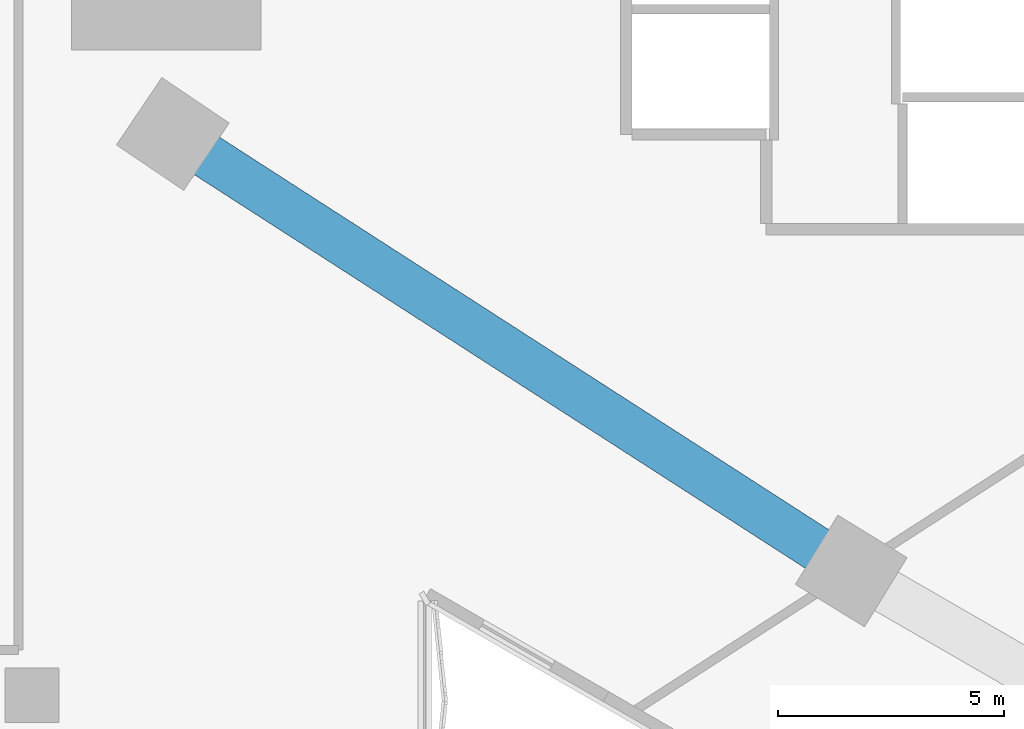
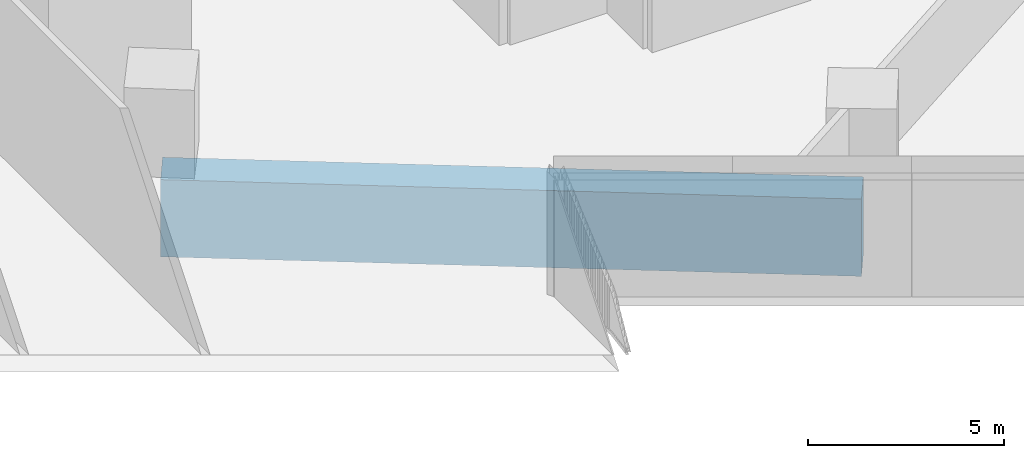
# One storey, part 3 of 31: 1 beam.
"""IFC4 building model written with IfcOpenShell, lengths in metres."""

from ifc_helpers import new_model, si_unit, direction, frame, origin, origin_2d, place, context, subcontext, project, spatial, rectangle, extrude, material, material_profile, profile_set, type_object, element, save


model = new_model("IFC4")

# Units and contexts
model_context = context("Model", 3, precision=1e-05, world=origin(), true_north=direction((0.0, 1.0)))
body_context = subcontext(model_context, "Body", "Model", "MODEL_VIEW")
ifc_project = project(units=[si_unit("LENGTHUNIT", "METRE"), si_unit("AREAUNIT", "SQUARE_METRE"), si_unit("VOLUMEUNIT", "CUBIC_METRE"), si_unit("PLANEANGLEUNIT", "RADIAN"), si_unit("MASSUNIT", "GRAM", prefix="KILO")], contexts=[model_context])

# Site, building, storey
site_placement = place(None, origin())
site = spatial("IfcSite", under=ifc_project, at=site_placement, CompositionType="ELEMENT")
building_placement = place(site_placement, origin())
building = spatial("IfcBuilding", under=site, at=building_placement, Name="Tamra Quay Hotel Tower", CompositionType="ELEMENT")
storey_placement = place(building_placement, frame((0.0, 0.0, 14.0)))
storey = spatial("IfcBuildingStorey", under=building, at=storey_placement, Name="L02", CompositionType="ELEMENT", Elevation=14.0)

# Beam
ifc_material = material(Name="Concrete M60", Category="concrete")
ifc_material_profile = material_profile(ifc_material, rectangle(XDim=1.0, YDim=2.39990234375, at=origin_2d()), Name="PODIUM RING GIRDER RC 1000x2400")
ifc_profile_set = profile_set([ifc_material_profile], Name="Concrete M60")
beam_type = type_object("IfcBeamType", Name="PODIUM RING GIRDER RC 1000x2400", PredefinedType="BEAM", material=ifc_profile_set)
beam_placement = place(storey_placement, frame((-35.58349609375, -3.564697265625, -1.550048828125), z_axis=(0.840663037387, -0.541558544915, 0.0), x_axis=(0.541558544915, 0.840663037387, 0.0)))
element("IfcBeam", 1, at=beam_placement, inside=storey, type_object=beam_type, Name="BM-PG007-L02", PredefinedType="BEAM", context=body_context, shape_type="SweptSolid", body=[
    extrude(rectangle(XDim=1.0, YDim=2.39990234375, at=origin_2d()), origin(), (0.0, 0.0, 1.0), 17.880615234375),
])

save(model, "model.ifc")
